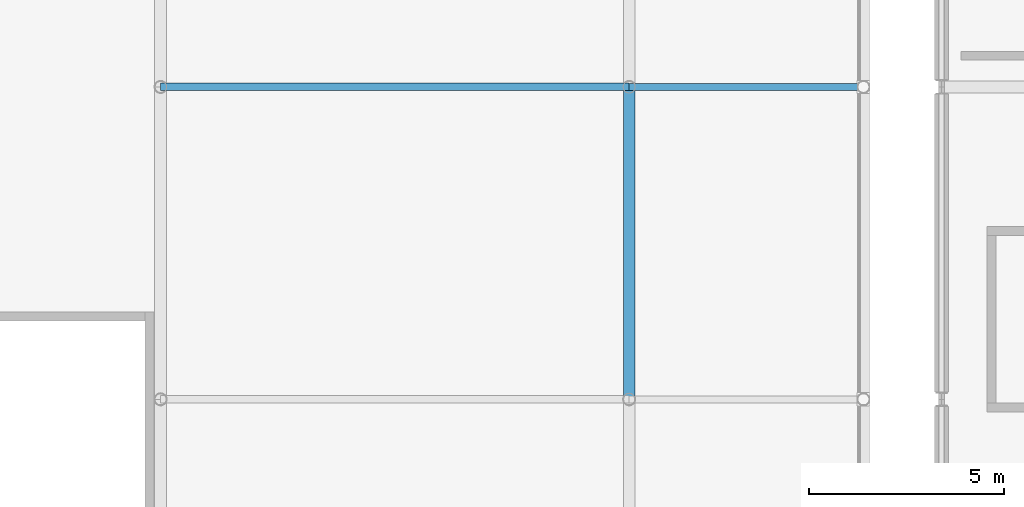
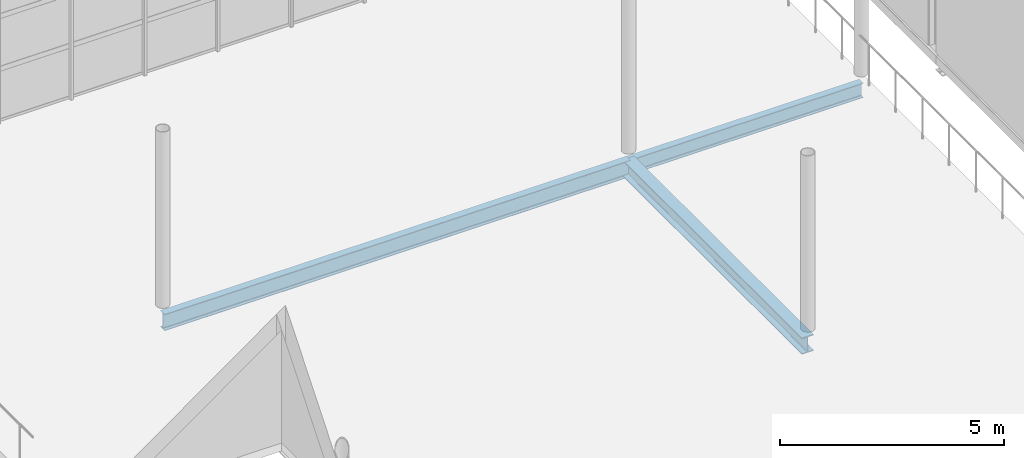
# One storey, part 72 of 143: 3 beams.
"""IFC4 building model written with IfcOpenShell, lengths in metres."""

from ifc_helpers import new_model, si_unit, derived_unit, direction, frame, origin, origin_2d, place, context, subcontext, project, spatial, i_section, extrude, material, material_profile, profile_set, type_object, element, save


model = new_model("IFC4")

# Units and contexts
model_context = context("Model", 3, precision=1e-05, world=origin(), true_north=direction((0.0, 1.0)))
body_context = subcontext(model_context, "Body", "Model", "MODEL_VIEW")
ifc_project = project(units=[si_unit("LENGTHUNIT", "METRE"), si_unit("AREAUNIT", "SQUARE_METRE"), si_unit("VOLUMEUNIT", "CUBIC_METRE"), si_unit("PLANEANGLEUNIT", "RADIAN"), si_unit("MASSUNIT", "GRAM", prefix="KILO"), derived_unit("THERMALTRANSMITTANCEUNIT", [(si_unit("POWERUNIT", "WATT"), 1), (si_unit("LENGTHUNIT", "METRE"), -2), (si_unit("THERMODYNAMICTEMPERATUREUNIT", "KELVIN"), -1)])], contexts=[model_context])

# Site, building, storey
site_placement = place(None, origin())
site = spatial("IfcSite", under=ifc_project, at=site_placement, CompositionType="ELEMENT")
building_placement = place(site_placement, origin())
building = spatial("IfcBuilding", under=site, at=building_placement, Name="Keldorne Ridge Multi-Sports Centre", CompositionType="ELEMENT")
storey_placement = place(building_placement, frame((0.0, 0.0, 4.800048828125)))
storey = spatial("IfcBuildingStorey", under=building, at=storey_placement, Name="L01", CompositionType="ELEMENT", Elevation=4.800048828125)

# Beams
ifc_material = material(Name="Steel S355", Category="steel")
ifc_material_profile_1 = material_profile(ifc_material, i_section(OverallWidth=0.18994140625, OverallDepth=0.449951171875, WebThickness=0.009521484375, FlangeThickness=0.0146484375, FilletRadius=0.02099609375, at=origin_2d()), Name="IPE 450")
ifc_profile_set_1 = profile_set([ifc_material_profile_1], Name="Steel S355")
beam_type_1 = type_object("IfcBeamType", Name="BM-B-03", PredefinedType="BEAM", material=ifc_profile_set_1)
beam_1_placement = place(storey_placement, frame((84.0, 106.0, -0.445068359375), z_axis=(1.0, 0.0, 0.0), x_axis=(0.0, 1.0, 0.0)))
element("IfcBeam", 1, at=beam_1_placement, inside=storey, type_object=beam_type_1, Name="L01 bridge cross beam 13", PredefinedType="BEAM", context=body_context, shape_type="SweptSolid", body=[
    extrude(i_section(OverallWidth=0.18994140625, OverallDepth=0.449951171875, WebThickness=0.009521484375, FlangeThickness=0.0146484375, FilletRadius=0.02099609375, at=origin_2d()), origin(), (0.0, 0.0, 1.0), 12.0),
])
ifc_material_profile_2 = material_profile(ifc_material, i_section(OverallWidth=0.179931640625, OverallDepth=0.39990234375, WebThickness=0.008544921875, FlangeThickness=0.013427734375, FilletRadius=0.02099609375, at=origin_2d()), Name="IPE 400")
ifc_profile_set_2 = profile_set([ifc_material_profile_2], Name="Steel S355")
beam_type_2 = type_object("IfcBeamType", Name="BM-B-04", PredefinedType="BEAM", material=ifc_profile_set_2)
beam_2_placement = place(storey_placement, frame((96.0, 106.0, -0.420166015625), z_axis=(1.0, 0.0, 0.0), x_axis=(0.0, 1.0, 0.0)))
element("IfcBeam", 2, at=beam_2_placement, inside=storey, type_object=beam_type_2, Name="L01 east gallery beam 13", PredefinedType="BEAM", context=body_context, shape_type="SweptSolid", body=[
    extrude(i_section(OverallWidth=0.179931640625, OverallDepth=0.39990234375, WebThickness=0.008544921875, FlangeThickness=0.013427734375, FilletRadius=0.02099609375, at=origin_2d()), origin(), (0.0, 0.0, 1.0), 6.0),
])
ifc_material_profile_3 = material_profile(ifc_material, i_section(OverallWidth=0.300048828125, OverallDepth=0.449951171875, WebThickness=0.013916015625, FlangeThickness=0.02587890625, FilletRadius=0.027099609375, at=origin_2d()), Name="HEB 450")
ifc_profile_set_3 = profile_set([ifc_material_profile_3], Name="Steel S355")
beam_type_3 = type_object("IfcBeamType", Name="BM-B-11", PredefinedType="BEAM", material=ifc_profile_set_3)
beam_3_placement = place(storey_placement, frame((96.0, 98.0, -0.445068359375), z_axis=(0.0, 1.0, 0.0), x_axis=(-1.0, 0.0, 0.0)))
element("IfcBeam", 3, at=beam_3_placement, inside=storey, type_object=beam_type_3, Name="L01 passage girder G14.12", PredefinedType="BEAM", context=body_context, shape_type="SweptSolid", body=[
    extrude(i_section(OverallWidth=0.300048828125, OverallDepth=0.449951171875, WebThickness=0.013916015625, FlangeThickness=0.02587890625, FilletRadius=0.027099609375, at=origin_2d()), origin(), (0.0, 0.0, 1.0), 8.0),
])

save(model, "model.ifc")
